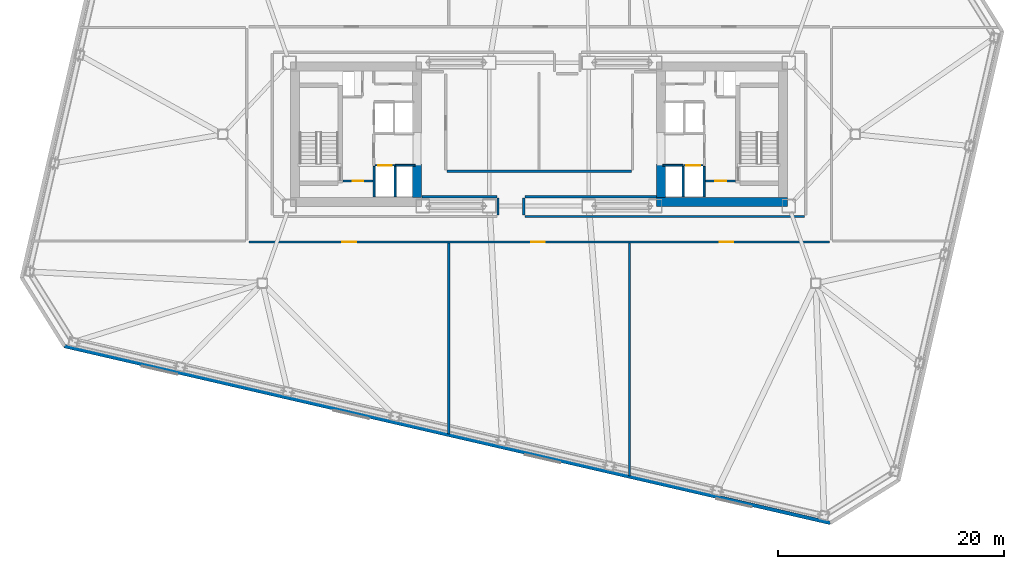
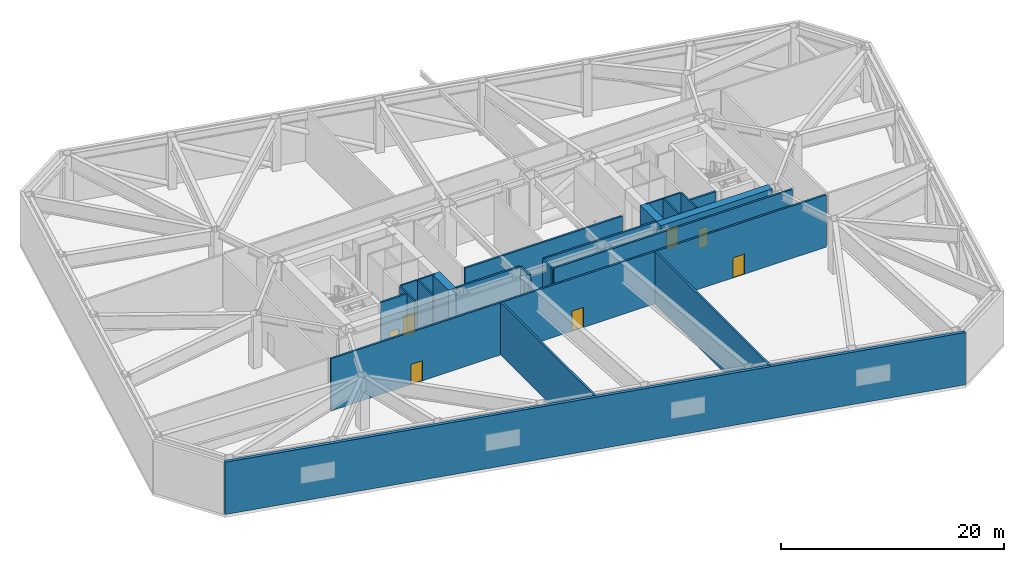
# One storey, part 4 of 15: 23 walls, 7 doors, 7 openings.
"""IFC4 building model written with IfcOpenShell, lengths in metres."""

from ifc_helpers import new_model, si_unit, direction, frame, frame_2d, origin, place, context, subcontext, project, spatial, rectangle, extrude, material, layer, layer_set, type_object, element, fill, save


model = new_model("IFC4")

# Units and contexts
model_context = context("Model", 3, precision=1e-05, world=origin(), true_north=direction((0.0, 1.0)))
body_context = subcontext(model_context, "Body", "Model", "MODEL_VIEW")
ifc_project = project(units=[si_unit("LENGTHUNIT", "METRE"), si_unit("AREAUNIT", "SQUARE_METRE"), si_unit("VOLUMEUNIT", "CUBIC_METRE"), si_unit("PLANEANGLEUNIT", "RADIAN"), si_unit("MASSUNIT", "GRAM", prefix="KILO")], contexts=[model_context])

# Site, building, storey
site_placement = place(None, origin())
site = spatial("IfcSite", under=ifc_project, at=site_placement, CompositionType="ELEMENT")
building_placement = place(site_placement, origin())
building = spatial("IfcBuilding", under=site, at=building_placement, Name="Tavrogorsk Clinical Tower", CompositionType="ELEMENT")
storey_placement = place(building_placement, frame((0.0, 0.0, 33.39990234375)))
storey = spatial("IfcBuildingStorey", under=building, at=storey_placement, Name="L06", CompositionType="ELEMENT", Elevation=33.39990234375)

# Wall, opening, door
ifc_material_1 = material(Name="Concrete B60", Category="concrete")
ifc_layer_1 = layer(ifc_material_1, 0.199951171875)
ifc_layer_set_1 = layer_set([ifc_layer_1], Name="Concrete B60")
wall_type_1 = type_object("IfcWallType", Name="CoreFireWall_200", PredefinedType="SOLIDWALL", material=ifc_layer_set_1)
wall_1_placement = place(storey_placement, frame((-17.3798828125, -4.139892578125, 0.0), z_axis=(0.0, 0.0, 1.0), x_axis=(1.0, 0.0, 0.0)))
wall_1 = element("IfcWall", 1, at=wall_1_placement, inside=storey, type_object=wall_type_1, Name="L06 Core West South Core Room Fire Wall", PredefinedType="SOLIDWALL", context=body_context, shape_type="SweptSolid", body=[
    extrude(rectangle(XDim=2.659912109375, YDim=0.199951171875, at=frame_2d((1.330078125, 0.0))), origin(), (0.0, 0.0, 1.0), 5.739990234375),
])
opening_1_placement = place(wall_1_placement, frame((0.8798828125, 0.0, 0.0)))
opening_1 = element("IfcOpeningElement", 2, at=opening_1_placement, cuts=wall_1, Name="Opening ID-02", PredefinedType="OPENING", context=body_context, shape_type="SweptSolid", body=[
    extrude(rectangle(XDim=0.949951171875, YDim=2.199951171875, at=frame_2d((0.47509765625, 1.10009765625))), frame((0.0, 0.10986328125, 0.0), z_axis=(0.0, -1.0, 0.0), x_axis=(1.0, 0.0, 0.0)), (0.0, 0.0, 1.0), 0.219970703125),
])
ifc_material_2 = material(Name="Laminated timber leaf on aluminium frame", Category="wood")
door_type_1 = type_object("IfcDoorType", Name="InteriorDoor_ID02_950", OperationType="NOTDEFINED", PredefinedType="DOOR", material=ifc_material_2)
door_1_placement = place(opening_1_placement, origin())
door_1 = element("IfcDoor", 3, at=door_1_placement, inside=storey, type_object=door_type_1, Name="L06 Core West South Core Room Door", OperationType="SINGLE_SWING_RIGHT", OverallHeight=2.199951171875, OverallWidth=0.949951171875, PredefinedType="DOOR", context=body_context, shape_type="SweptSolid", body=[
    extrude(rectangle(XDim=0.949951171875, YDim=2.199951171875, at=frame_2d((0.47509765625, 1.10009765625))), frame((0.0, 0.02490234375, 0.0), z_axis=(0.0, -1.0, 0.0), x_axis=(1.0, 0.0, 0.0)), (0.0, 0.0, 1.0), 0.050048828125),
])
fill(opening_1, door_1)

wall_2_placement = place(storey_placement, frame((14.719970703125, -4.139892578125, 0.0), z_axis=(0.0, 0.0, 1.0), x_axis=(1.0, 0.0, 0.0)))
wall_2 = element("IfcWall", 4, at=wall_2_placement, inside=storey, type_object=wall_type_1, Name="L06 Core East South Core Room Fire Wall", PredefinedType="SOLIDWALL", context=body_context, shape_type="SweptSolid", body=[
    extrude(rectangle(XDim=2.659912109375, YDim=0.199951171875, at=frame_2d((1.330078125, 0.0))), origin(), (0.0, 0.0, 1.0), 5.739990234375),
])
opening_2_placement = place(wall_2_placement, frame((0.8798828125, 0.0, 0.0)))
opening_2 = element("IfcOpeningElement", 5, at=opening_2_placement, cuts=wall_2, Name="Opening ID-02", PredefinedType="OPENING", context=body_context, shape_type="SweptSolid", body=[
    extrude(rectangle(XDim=0.949951171875, YDim=2.199951171875, at=frame_2d((0.47509765625, 1.10009765625))), frame((0.0, 0.10986328125, 0.0), z_axis=(0.0, -1.0, 0.0), x_axis=(1.0, 0.0, 0.0)), (0.0, 0.0, 1.0), 0.219970703125),
])
door_2_placement = place(opening_2_placement, origin())
door_2 = element("IfcDoor", 6, at=door_2_placement, inside=storey, type_object=door_type_1, Name="L06 Core East South Core Room Door", OperationType="SINGLE_SWING_RIGHT", OverallHeight=2.199951171875, OverallWidth=0.949951171875, PredefinedType="DOOR", context=body_context, shape_type="SweptSolid", body=[
    extrude(rectangle(XDim=0.949951171875, YDim=2.199951171875, at=frame_2d((0.47509765625, 1.10009765625))), frame((0.0, 0.02490234375, 0.0), z_axis=(0.0, -1.0, 0.0), x_axis=(1.0, 0.0, 0.0)), (0.0, 0.0, 1.0), 0.050048828125),
])
fill(opening_2, door_2)

# Wall, openings, doors
wall_3_placement = place(storey_placement, frame((25.695068359375, -9.530029296875, 0.0), z_axis=(0.0, 0.0, 1.0), x_axis=(-1.0, 0.0, 0.0)))
wall_3 = element("IfcWall", 7, at=wall_3_placement, inside=storey, type_object=wall_type_1, Name="L06 Refuge Corridor Fire Wall 04", PredefinedType="SOLIDWALL", context=body_context, shape_type="SweptSolid", body=[
    extrude(rectangle(XDim=51.39013671875, YDim=0.199951171875, at=frame_2d((25.695068359375, 0.0))), origin(), (0.0, 0.0, 1.0), 5.739990234375),
])
opening_3_placement = place(wall_3_placement, frame((41.906005859375, 0.0, 0.0)))
opening_3 = element("IfcOpeningElement", 8, at=opening_3_placement, cuts=wall_3, Name="Opening FD-01", PredefinedType="OPENING", context=body_context, shape_type="SweptSolid", body=[
    extrude(rectangle(XDim=1.199951171875, YDim=2.199951171875, at=frame_2d((0.60009765625, 1.10009765625))), frame((0.0, 0.10986328125, 0.0), z_axis=(0.0, -1.0, 0.0), x_axis=(1.0, 0.0, 0.0)), (0.0, 0.0, 1.0), 0.219970703125),
])
opening_4_placement = place(wall_3_placement, frame((8.494140625, 0.0, 0.0)))
opening_4 = element("IfcOpeningElement", 9, at=opening_4_placement, cuts=wall_3, Name="Opening FD-01", PredefinedType="OPENING", context=body_context, shape_type="SweptSolid", body=[
    extrude(rectangle(XDim=1.199951171875, YDim=2.199951171875, at=frame_2d((0.60009765625, 1.10009765625))), frame((0.0, 0.10986328125, 0.0), z_axis=(0.0, -1.0, 0.0), x_axis=(1.0, 0.0, 0.0)), (0.0, 0.0, 1.0), 0.219970703125),
])
opening_5_placement = place(wall_3_placement, frame((25.199951171875, 0.0, 0.0)))
opening_5 = element("IfcOpeningElement", 10, at=opening_5_placement, cuts=wall_3, Name="Opening FD-01", PredefinedType="OPENING", context=body_context, shape_type="SweptSolid", body=[
    extrude(rectangle(XDim=1.199951171875, YDim=2.199951171875, at=frame_2d((0.60009765625, 1.10009765625))), frame((0.0, 0.10986328125, 0.0), z_axis=(0.0, -1.0, 0.0), x_axis=(1.0, 0.0, 0.0)), (0.0, 0.0, 1.0), 0.219970703125),
])
ifc_material_3 = material(Name="Galvanised steel fire-rated door assembly", Category="steel")
door_type_2 = type_object("IfcDoorType", Name="FireDoor_FD01_1200", OperationType="NOTDEFINED", PredefinedType="DOOR", material=ifc_material_3)
door_3_placement = place(opening_3_placement, origin())
door_3 = element("IfcDoor", 11, at=door_3_placement, inside=storey, type_object=door_type_2, Name="L06 Pressurised Patient Refuge Area West Fire Door", OperationType="SINGLE_SWING_LEFT", OverallHeight=2.199951171875, OverallWidth=1.199951171875, PredefinedType="DOOR", context=body_context, shape_type="SweptSolid", body=[
    extrude(rectangle(XDim=1.199951171875, YDim=2.199951171875, at=frame_2d((0.60009765625, 1.10009765625))), frame((0.0, 0.02490234375, 0.0), z_axis=(0.0, -1.0, 0.0), x_axis=(1.0, 0.0, 0.0)), (0.0, 0.0, 1.0), 0.050048828125),
])
fill(opening_3, door_3)
door_4_placement = place(opening_4_placement, origin())
door_4 = element("IfcDoor", 12, at=door_4_placement, inside=storey, type_object=door_type_2, Name="L06 Pressurised Patient Refuge Area East Fire Door", OperationType="SINGLE_SWING_RIGHT", OverallHeight=2.199951171875, OverallWidth=1.199951171875, PredefinedType="DOOR", context=body_context, shape_type="SweptSolid", body=[
    extrude(rectangle(XDim=1.199951171875, YDim=2.199951171875, at=frame_2d((0.60009765625, 1.10009765625))), frame((0.0, 0.02490234375, 0.0), z_axis=(0.0, -1.0, 0.0), x_axis=(1.0, 0.0, 0.0)), (0.0, 0.0, 1.0), 0.050048828125),
])
fill(opening_4, door_4)
door_5_placement = place(opening_5_placement, origin())
door_5 = element("IfcDoor", 13, at=door_5_placement, inside=storey, type_object=door_type_2, Name="L06 Bariatric & Stretcher Holding Refuge Fire Door", OperationType="SINGLE_SWING_LEFT", OverallHeight=2.199951171875, OverallWidth=1.199951171875, PredefinedType="DOOR", context=body_context, shape_type="SweptSolid", body=[
    extrude(rectangle(XDim=1.199951171875, YDim=2.199951171875, at=frame_2d((0.60009765625, 1.10009765625))), frame((0.0, 0.02490234375, 0.0), z_axis=(0.0, -1.0, 0.0), x_axis=(1.0, 0.0, 0.0)), (0.0, 0.0, 1.0), 0.050048828125),
])
fill(opening_5, door_5)

# Walls
wall_4_placement = place(storey_placement, frame((-3.6298828125, -7.1650390625, 0.0), z_axis=(0.0, 0.0, 1.0), x_axis=(0.0, 1.0, 0.0)))
element("IfcWall", 14, at=wall_4_placement, inside=storey, type_object=wall_type_1, Name="L06 Refuge Corridor Fire Wall 05", PredefinedType="SOLIDWALL", context=body_context, shape_type="SweptSolid", body=[
    extrude(rectangle(XDim=1.530029296875, YDim=0.199951171875, at=frame_2d((0.76513671875, 0.0))), origin(), (0.0, 0.0, 1.0), 5.739990234375),
])
wall_5_placement = place(storey_placement, frame((-3.735107421875, -5.530029296875, 0.0), z_axis=(0.0, 0.0, 1.0), x_axis=(-1.0, 0.0, 0.0)))
element("IfcWall", 15, at=wall_5_placement, inside=storey, type_object=wall_type_1, Name="L06 Refuge Corridor Fire Wall 06", PredefinedType="SOLIDWALL", context=body_context, shape_type="SweptSolid", body=[
    extrude(rectangle(XDim=6.644775390625, YDim=0.199951171875, at=frame_2d((3.322265625, 0.0))), origin(), (0.0, 0.0, 1.0), 5.739990234375),
])
wall_6_placement = place(storey_placement, frame((-8.1650390625, -3.27001953125, 0.0), z_axis=(0.0, 0.0, 1.0), x_axis=(1.0, 0.0, 0.0)))
element("IfcWall", 16, at=wall_6_placement, inside=storey, type_object=wall_type_1, Name="L06 Refuge Corridor Fire Wall 09", PredefinedType="SOLIDWALL", context=body_context, shape_type="SweptSolid", body=[
    extrude(rectangle(XDim=16.330078125, YDim=0.199951171875, at=frame_2d((8.1650390625, 0.0))), origin(), (0.0, 0.0, 1.0), 5.739990234375),
])
wall_7_placement = place(storey_placement, frame((10.3798828125, -5.530029296875, 0.0), z_axis=(0.0, 0.0, 1.0), x_axis=(-1.0, 0.0, 0.0)))
element("IfcWall", 17, at=wall_7_placement, inside=storey, type_object=wall_type_1, Name="L06 Refuge Corridor Fire Wall 12", PredefinedType="SOLIDWALL", context=body_context, shape_type="SweptSolid", body=[
    extrude(rectangle(XDim=11.644775390625, YDim=0.199951171875, at=frame_2d((5.822265625, 0.0))), origin(), (0.0, 0.0, 1.0), 5.739990234375),
])
wall_8_placement = place(storey_placement, frame((-1.3701171875, -5.635009765625, 0.0), z_axis=(0.0, 0.0, 1.0), x_axis=(0.0, -1.0, 0.0)))
element("IfcWall", 18, at=wall_8_placement, inside=storey, type_object=wall_type_1, Name="L06 Refuge Corridor Fire Wall 13", PredefinedType="SOLIDWALL", context=body_context, shape_type="SweptSolid", body=[
    extrude(rectangle(XDim=1.530029296875, YDim=0.199951171875, at=frame_2d((0.76513671875, 0.0))), origin(), (0.0, 0.0, 1.0), 5.739990234375),
])
wall_9_placement = place(storey_placement, frame((-1.264892578125, -7.27001953125, 0.0), z_axis=(0.0, 0.0, 1.0), x_axis=(1.0, 0.0, 0.0)))
element("IfcWall", 19, at=wall_9_placement, inside=storey, type_object=wall_type_1, Name="L06 Refuge Corridor Fire Wall 14", PredefinedType="SOLIDWALL", context=body_context, shape_type="SweptSolid", body=[
    extrude(rectangle(XDim=24.77978515625, YDim=0.199951171875, at=frame_2d((12.389892578125, 0.0))), origin(), (0.0, 0.0, 1.0), 5.739990234375),
])
wall_10_placement = place(storey_placement, frame((-8.0, -26.5546875, 0.0), z_axis=(0.0, 0.0, 1.0), x_axis=(0.0, 1.0, 0.0)))
element("IfcWall", 20, at=wall_10_placement, inside=storey, type_object=wall_type_1, Name="L06 Refuge & Plant Fire Wall 5", PredefinedType="SOLIDWALL", context=body_context, shape_type="SweptSolid", body=[
    extrude(rectangle(XDim=16.919677734375, YDim=0.199951171875, at=frame_2d((8.4599609375, 0.0))), origin(), (0.0, 0.0, 1.0), 5.739990234375),
])
wall_11_placement = place(storey_placement, frame((8.0, -30.24853515625, 0.0), z_axis=(0.0, 0.0, 1.0), x_axis=(0.0, 1.0, 0.0)))
element("IfcWall", 21, at=wall_11_placement, inside=storey, type_object=wall_type_1, Name="L06 Refuge & Plant Fire Wall 6", PredefinedType="SOLIDWALL", context=body_context, shape_type="SweptSolid", body=[
    extrude(rectangle(XDim=20.613525390625, YDim=0.199951171875, at=frame_2d((10.306640625, 0.0))), origin(), (0.0, 0.0, 1.0), 5.739990234375),
])
ifc_material_4 = material(Name="Precast concrete B45 acoustic plenum wall", Category="concrete")
ifc_layer_2 = layer(ifc_material_4, 0.320068359375)
ifc_layer_set_2 = layer_set([ifc_layer_2], Name="Precast concrete B45 acoustic plenum wall")
wall_type_2 = type_object("IfcWallType", Name="PlantLouvreWall_320", PredefinedType="STANDARD", material=ifc_layer_set_2)
wall_12_placement = place(storey_placement, frame((-42.03076171875, -18.759765625, 0.0), z_axis=(0.0, 0.0, 1.0), x_axis=(0.97437038139, -0.224949682974, 0.0)))
element("IfcWall", 22, at=wall_12_placement, inside=storey, type_object=wall_type_2, Name="L06 S Limestone Facade Wall 1", PredefinedType="STANDARD", context=body_context, shape_type="SweptSolid", body=[
    extrude(rectangle(XDim=69.60009765625, YDim=0.320068359375, at=frame_2d((34.800048828125, 0.0))), origin(), (0.0, 0.0, 1.0), 5.739990234375),
])

# Wall, opening, door
ifc_material_5 = material(Name="Lightweight concrete blockwork B25", Category="masonry")
ifc_layer_3 = layer(ifc_material_5, 0.159912109375)
ifc_layer_set_3 = layer_set([ifc_layer_3], Name="Lightweight concrete blockwork B25")
wall_type_3 = type_object("IfcWallType", Name="ShaftWall_160", PredefinedType="PARTITIONING", material=ifc_layer_set_3)
wall_13_placement = place(storey_placement, frame((-14.530029296875, -2.75, 0.0), z_axis=(0.0, 0.0, 1.0), x_axis=(1.0, 0.0, 0.0)))
wall_13 = element("IfcWall", 23, at=wall_13_placement, inside=storey, type_object=wall_type_3, Name="L06 LP-L1 Lift Shaft Portal Wall", PredefinedType="PARTITIONING", context=body_context, shape_type="SweptSolid", body=[
    extrude(rectangle(XDim=1.760009765625, YDim=0.159912109375, at=frame_2d((0.8798828125, 0.0))), origin(), (0.0, 0.0, 1.0), 5.739990234375),
])
opening_6_placement = place(wall_13_placement, frame((0.280029296875, 0.0, 0.0)))
opening_6 = element("IfcOpeningElement", 24, at=opening_6_placement, cuts=wall_13, Name="Opening LD", PredefinedType="OPENING", context=body_context, shape_type="SweptSolid", body=[
    extrude(rectangle(XDim=1.199951171875, YDim=2.199951171875, at=frame_2d((0.60009765625, 1.10009765625))), frame((0.0, 0.08984375, 0.0), z_axis=(0.0, -1.0, 0.0), x_axis=(1.0, 0.0, 0.0)), (0.0, 0.0, 1.0), 0.179931640625),
])
ifc_material_6 = material(Name="Brushed stainless steel AISI 304 sliding doors", Category="steel")
door_type_3 = type_object("IfcDoorType", Name="LiftLandingDoor_LD_1200", OperationType="SLIDING_TO_LEFT", PredefinedType="DOOR", material=ifc_material_6)
door_6_placement = place(opening_6_placement, origin())
door_6 = element("IfcDoor", 25, at=door_6_placement, inside=storey, type_object=door_type_3, Name="L06 LP-L1 Sliding Lift Landing Door", OperationType="SLIDING_TO_LEFT", OverallHeight=2.199951171875, OverallWidth=1.199951171875, PredefinedType="DOOR", context=body_context, shape_type="SweptSolid", body=[
    extrude(rectangle(XDim=1.199951171875, YDim=2.199951171875, at=frame_2d((0.60009765625, 1.10009765625))), frame((0.0, 0.02490234375, 0.0), z_axis=(0.0, -1.0, 0.0), x_axis=(1.0, 0.0, 0.0)), (0.0, 0.0, 1.0), 0.050048828125),
])
fill(opening_6, door_6)

# Walls
for number, where, z_axis, x_axis, name in (
    (26, (-12.75, -5.5400390625, 0.0), (0.0, 0.0, 1.0), (0.0, 1.0, 0.0), "L06 LP-L1 Lift Hoistway Divider Wall"),
    (27, (-14.610107421875, -5.5400390625, 0.0), (0.0, 0.0, 1.0), (0.0, 1.0, 0.0), "L06 LP-L1 Lift Hoistway Outer Cheek Wall"),
):
    element("IfcWall", number, at=place(storey_placement, frame(where, z_axis=z_axis, x_axis=x_axis)), inside=storey, type_object=wall_type_3, Name=name, PredefinedType="PARTITIONING", context=body_context, shape_type="SweptSolid", body=[
        extrude(rectangle(XDim=2.699951171875, YDim=0.159912109375, at=frame_2d((1.35009765625, 0.0))), origin(), (0.0, 0.0, 1.0), 5.739990234375),
    ])
wall_14_placement = place(storey_placement, frame((-12.72998046875, -2.75, 0.0), z_axis=(0.0, 0.0, 1.0), x_axis=(1.0, 0.0, 0.0)))
element("IfcWall", 28, at=wall_14_placement, inside=storey, type_object=wall_type_3, Name="L06 LP-M1 Lift Shaft Portal Wall", PredefinedType="PARTITIONING", context=body_context, shape_type="SweptSolid", body=[
    extrude(rectangle(XDim=1.760009765625, YDim=0.159912109375, at=frame_2d((0.8798828125, 0.0))), origin(), (0.0, 0.0, 1.0), 5.739990234375),
])

# Wall, opening, door
wall_15_placement = place(storey_placement, frame((12.77001953125, -2.75, 0.0), z_axis=(0.0, 0.0, 1.0), x_axis=(1.0, 0.0, 0.0)))
wall_15 = element("IfcWall", 29, at=wall_15_placement, inside=storey, type_object=wall_type_3, Name="L06 LP-L2 Lift Shaft Portal Wall", PredefinedType="PARTITIONING", context=body_context, shape_type="SweptSolid", body=[
    extrude(rectangle(XDim=1.760009765625, YDim=0.159912109375, at=frame_2d((0.8798828125, 0.0))), origin(), (0.0, 0.0, 1.0), 5.739990234375),
])
opening_7_placement = place(wall_15_placement, frame((0.280029296875, 0.0, 0.0)))
opening_7 = element("IfcOpeningElement", 30, at=opening_7_placement, cuts=wall_15, Name="Opening LD", PredefinedType="OPENING", context=body_context, shape_type="SweptSolid", body=[
    extrude(rectangle(XDim=1.199951171875, YDim=2.199951171875, at=frame_2d((0.60009765625, 1.10009765625))), frame((0.0, 0.08984375, 0.0), z_axis=(0.0, -1.0, 0.0), x_axis=(1.0, 0.0, 0.0)), (0.0, 0.0, 1.0), 0.179931640625),
])
door_7_placement = place(opening_7_placement, origin())
door_7 = element("IfcDoor", 31, at=door_7_placement, inside=storey, type_object=door_type_3, Name="L06 LP-L2 Sliding Lift Landing Door", OperationType="SLIDING_TO_LEFT", OverallHeight=2.199951171875, OverallWidth=1.199951171875, PredefinedType="DOOR", context=body_context, shape_type="SweptSolid", body=[
    extrude(rectangle(XDim=1.199951171875, YDim=2.199951171875, at=frame_2d((0.60009765625, 1.10009765625))), frame((0.0, 0.02490234375, 0.0), z_axis=(0.0, -1.0, 0.0), x_axis=(1.0, 0.0, 0.0)), (0.0, 0.0, 1.0), 0.050048828125),
])
fill(opening_7, door_7)

# Walls
for number, where, z_axis, x_axis, name in (
    (32, (12.75, -5.5400390625, 0.0), (0.0, 0.0, 1.0), (0.0, 1.0, 0.0), "L06 LP-L2 Lift Hoistway Divider Wall"),
    (33, (14.610107421875, -5.5400390625, 0.0), (0.0, 0.0, 1.0), (0.0, 1.0, 0.0), "L06 LP-L2 Lift Hoistway Outer Cheek Wall"),
):
    element("IfcWall", number, at=place(storey_placement, frame(where, z_axis=z_axis, x_axis=x_axis)), inside=storey, type_object=wall_type_3, Name=name, PredefinedType="PARTITIONING", context=body_context, shape_type="SweptSolid", body=[
        extrude(rectangle(XDim=2.699951171875, YDim=0.159912109375, at=frame_2d((1.35009765625, 0.0))), origin(), (0.0, 0.0, 1.0), 5.739990234375),
    ])
wall_16_placement = place(storey_placement, frame((10.969970703125, -2.75, 0.0), z_axis=(0.0, 0.0, 1.0), x_axis=(1.0, 0.0, 0.0)))
element("IfcWall", 34, at=wall_16_placement, inside=storey, type_object=wall_type_3, Name="L06 LP-M2 Lift Shaft Portal Wall", PredefinedType="PARTITIONING", context=body_context, shape_type="SweptSolid", body=[
    extrude(rectangle(XDim=1.760009765625, YDim=0.159912109375, at=frame_2d((0.8798828125, 0.0))), origin(), (0.0, 0.0, 1.0), 5.739990234375),
])
ifc_material_7 = material(Name="Concrete B80", Category="concrete")
ifc_layer_4 = layer(ifc_material_7, 0.800048828125)
ifc_layer_set_4 = layer_set([ifc_layer_4], Name="Concrete B80")
wall_type_4 = type_object("IfcWallType", Name="ShearWall_800", PredefinedType="SHEAR", material=ifc_layer_set_4)
wall_17_placement = place(storey_placement, frame((-10.800048828125, -5.60009765625, 0.0), z_axis=(0.0, 0.0, 1.0), x_axis=(0.0, 1.0, 0.0)))
element("IfcWall", 35, at=wall_17_placement, inside=storey, type_object=wall_type_4, Name="L06 Core West Inner South Pier", PredefinedType="SHEAR", context=body_context, shape_type="SweptSolid", body=[
    extrude(rectangle(XDim=2.9501953125, YDim=0.800048828125, at=frame_2d((1.47509765625, 0.0))), origin(), (0.0, 0.0, 1.0), 5.739990234375),
])
wall_18_placement = place(storey_placement, frame((10.39990234375, -6.0, 0.0), z_axis=(0.0, 0.0, 1.0), x_axis=(1.0, 0.0, 0.0)))
element("IfcWall", 36, at=wall_18_placement, inside=storey, type_object=wall_type_4, Name="L06 Core East South Shear Wall", PredefinedType="SHEAR", context=body_context, shape_type="SweptSolid", body=[
    extrude(rectangle(XDim=11.60009765625, YDim=0.800048828125, at=frame_2d((5.800048828125, 0.0))), origin(), (0.0, 0.0, 1.0), 5.739990234375),
])
wall_19_placement = place(storey_placement, frame((10.800048828125, -5.60009765625, 0.0), z_axis=(0.0, 0.0, 1.0), x_axis=(0.0, 1.0, 0.0)))
element("IfcWall", 37, at=wall_19_placement, inside=storey, type_object=wall_type_4, Name="L06 Core East Inner South Pier", PredefinedType="SHEAR", context=body_context, shape_type="SweptSolid", body=[
    extrude(rectangle(XDim=2.9501953125, YDim=0.800048828125, at=frame_2d((1.47509765625, 0.0))), origin(), (0.0, 0.0, 1.0), 5.739990234375),
])

save(model, "model.ifc")
